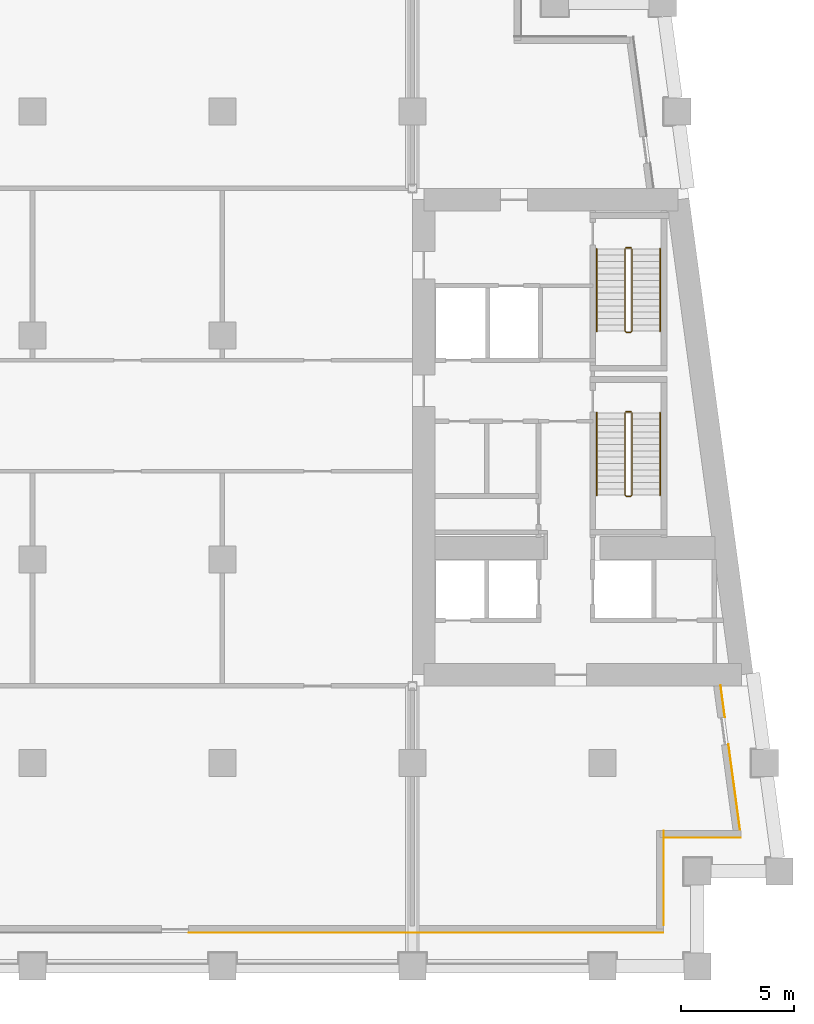
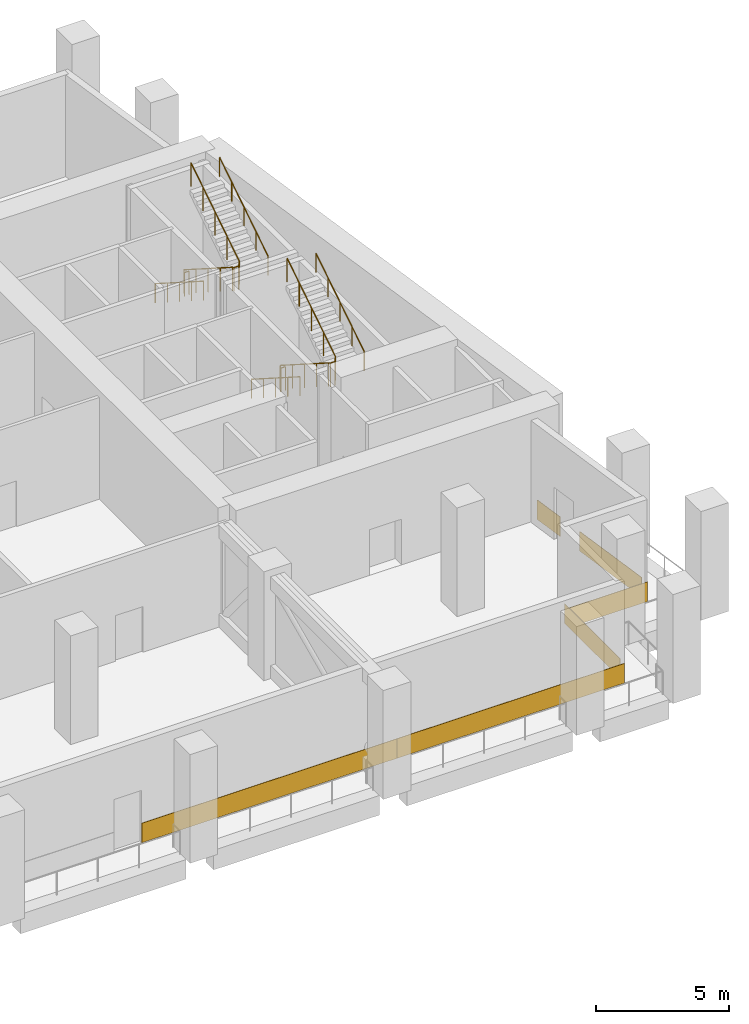
# One storey, part 10 of 11: 8 railings, 6 coverings.
"""IFC4 building model written with IfcOpenShell, lengths in metres."""

import ifcopenshell
import ifcopenshell.guid

model = None  # the IFC model being written
_history = None  # IfcOwnerHistory: only IFC2X3 demands one
_inside = {}  # id of a spatial element -> (the spatial element, [elements in it])
_under = {}  # id of a project, library or spatial element -> (it, [spatial elements below it])
_declared = {}  # id of a project -> (the project, [libraries it declares])
_typed = {}  # id of a type object -> (the type object, [elements of that type])
_made_of = {}  # id of a material, layer set ... -> (it, [elements and type objects made of it])


def new_model(schema):
    """Start an empty IFC model of exactly this schema.

    Asked for "IFC4X3", IfcOpenShell would pick the latest addendum, in which some entities
    have other attributes; the version numbers below select the first issue.
    IFC2X3 requires an IfcOwnerHistory on every rooted entity: one is made here for all.
    """
    global model, _history
    if schema == "IFC4X3":
        model = ifcopenshell.file(schema_version=(4, 3, 0, 0))
    else:
        model = ifcopenshell.file(schema=schema)
    _inside.clear()
    _under.clear()
    _declared.clear()
    _typed.clear()
    _made_of.clear()
    _history = None
    if model.schema == "IFC2X3":
        org = make("IfcOrganization", Name="unknown")
        user = make(
            "IfcPersonAndOrganization",
            ThePerson=make("IfcPerson", FamilyName="unknown"),
            TheOrganization=org,
        )
        app = make(
            "IfcApplication",
            ApplicationDeveloper=org,
            Version="unknown",
            ApplicationFullName="unknown",
            ApplicationIdentifier="unknown",
        )
        _history = make(
            "IfcOwnerHistory",
            OwningUser=user,
            OwningApplication=app,
            ChangeAction="ADDED",
            CreationDate=0,
        )
    return model


def make(cls, **values):
    """One entity of the class cls with the attributes given. An attribute that is None is left unset."""
    return model.create_entity(
        cls, **{name: value for name, value in values.items() if value is not None}
    )


def rooted(cls, **values):
    """An entity with a GlobalId (a new one), such as an element, a storey or a relation."""
    return make(cls, GlobalId=ifcopenshell.guid.new(), OwnerHistory=_history, **values)


def si_unit(unit_type, name, prefix=None):
    """IfcSIUnit, for example si_unit("LENGTHUNIT", "METRE", prefix="MILLI")."""
    return make("IfcSIUnit", UnitType=unit_type, Prefix=prefix, Name=name)


def assignment(units):
    """IfcUnitAssignment: the units of a project."""
    return None if units is None else make("IfcUnitAssignment", Units=units)


def point(xyz):
    """IfcCartesianPoint."""
    return None if xyz is None else make("IfcCartesianPoint", Coordinates=xyz)


def direction(xyz):
    """IfcDirection."""
    return None if xyz is None else make("IfcDirection", DirectionRatios=xyz)


def frame(location, z_axis=None, x_axis=None):
    """IfcAxis2Placement3D, a coordinate frame: its origin and axes. An axis left out is left unset."""
    return make(
        "IfcAxis2Placement3D",
        Location=point(location),
        Axis=direction(z_axis),
        RefDirection=direction(x_axis),
    )


def frame_2d(location, x_axis=None):
    """IfcAxis2Placement2D, a coordinate frame in the plane: its origin and x axis."""
    return make(
        "IfcAxis2Placement2D", Location=point(location), RefDirection=direction(x_axis)
    )


def origin():
    """The frame at (0, 0, 0) with its axes left unset."""
    return frame((0.0, 0.0, 0.0))


def origin_2d():
    """The frame at (0, 0) in the plane with its x axis left unset."""
    return frame_2d((0.0, 0.0))


def place(relative_to, where):
    """IfcLocalPlacement: puts the frame where relative to a parent placement (None: the world)."""
    return make(
        "IfcLocalPlacement", PlacementRelTo=relative_to, RelativePlacement=where
    )


def context(
    kind, dimensions, precision=None, world=None, true_north=None, identifier=None
):
    """IfcGeometricRepresentationContext, for example the 3D "Model" context."""
    return make(
        "IfcGeometricRepresentationContext",
        ContextIdentifier=identifier,
        ContextType=kind,
        CoordinateSpaceDimension=dimensions,
        Precision=precision,
        WorldCoordinateSystem=world,
        TrueNorth=true_north,
    )


def subcontext(parent, identifier, kind, view, scale=None):
    """IfcGeometricRepresentationSubContext, for example "Body" below "Model"."""
    return make(
        "IfcGeometricRepresentationSubContext",
        ContextIdentifier=identifier,
        ContextType=kind,
        ParentContext=parent,
        TargetScale=scale,
        TargetView=view,
    )


def project(units=None, contexts=None):
    """IfcProject with its units and contexts."""
    return rooted(
        "IfcProject",
        Name="project",
        RepresentationContexts=contexts,
        UnitsInContext=assignment(units),
    )


def spatial(cls, under=None, at=None, **own):
    """A site, building, storey or space (cls), placed at a placement, below another one or the project."""
    s = rooted(cls, ObjectPlacement=at, **own)
    if under is not None:
        _under.setdefault(under.id(), (under, []))[1].append(s)
    return s


def profile(cls, at=None, kind="AREA", **sizes):
    """A parametric profile (cls). Its sizes go by their IFC names, for example OverallWidth=200.0."""
    return make(cls, ProfileType=kind, Position=at, **sizes)


def rectangle(**sizes):
    """IfcRectangleProfileDef."""
    return profile("IfcRectangleProfileDef", **sizes)


def circle(**sizes):
    """IfcCircleProfileDef."""
    return profile("IfcCircleProfileDef", **sizes)


def extrude(swept, where, along, depth):
    """IfcExtrudedAreaSolid: the profile swept, set in the frame where, extruded along a direction by depth."""
    return make(
        "IfcExtrudedAreaSolid",
        SweptArea=swept,
        Position=where,
        ExtrudedDirection=direction(along),
        Depth=depth,
    )


def shape(context_of_items, identifier, shape_type, items):
    """IfcShapeRepresentation: the items that make up one representation, for example the "Body"."""
    return make(
        "IfcShapeRepresentation",
        ContextOfItems=context_of_items,
        RepresentationIdentifier=identifier,
        RepresentationType=shape_type,
        Items=items,
    )


def material(Name=None, Category=None):
    """IfcMaterial."""
    return make("IfcMaterial", Name=Name, Category=Category)


def layer(
    of_material, thickness, ventilated=None, Name=None, Category=None, Priority=None
):
    """IfcMaterialLayer: one layer of a wall or slab, of a material (None: an air gap)."""
    return make(
        "IfcMaterialLayer",
        Material=of_material,
        LayerThickness=thickness,
        IsVentilated=ventilated,
        Name=Name,
        Category=Category,
        Priority=Priority,
    )


def layer_set(layers, Name=None):
    """IfcMaterialLayerSet."""
    return make("IfcMaterialLayerSet", MaterialLayers=layers, LayerSetName=Name)


def made_of(thing, what):
    """Note that an element or type object is made of a material, layer set ...; save() writes the relation."""
    if what is not None:
        _made_of.setdefault(what.id(), (what, []))[1].append(thing)
    return thing


def type_object(cls, material=None, **own):
    """A type object (cls), such as IfcWallType, which elements share."""
    return made_of(rooted(cls, **own), material)


def element(
    cls,
    number,
    at=None,
    inside=None,
    cuts=None,
    type_object=None,
    material=None,
    context=None,
    identifier="Body",
    shape_type=None,
    held_by="IfcProductDefinitionShape",
    body=None,
    shapes=None,
    **own,
):
    """One element of the class cls, such as IfcWall. Its Tag is "e" and its number.

    at: its placement. inside: the storey or other place that contains it. cuts: it is an
    opening in that element (IfcRelVoidsElement). A single representation is given by context,
    identifier, shape_type and body (its items); several are given by shapes. held_by: the class
    of the entity that holds the representations. save() writes the other relations.
    """
    e = rooted(cls, Tag="e%d" % number, ObjectPlacement=at, **own)
    if body is not None:
        shapes = [shape(context, identifier, shape_type, body)]
    if shapes is not None:
        e.Representation = make(held_by, Representations=shapes)
    if inside is not None:
        _inside.setdefault(inside.id(), (inside, []))[1].append(e)
    if cuts is not None:
        rooted(
            "IfcRelVoidsElement", RelatingBuildingElement=cuts, RelatedOpeningElement=e
        )
    if type_object is not None:
        _typed.setdefault(type_object.id(), (type_object, []))[1].append(e)
    return made_of(e, material)


def aggregate(whole, parts):
    """IfcRelAggregates: a whole, such as a stair, and the parts it consists of."""
    return rooted("IfcRelAggregates", RelatingObject=whole, RelatedObjects=parts)


def save(model, path):
    """Write the relations noted so far, then the file.

    IfcRelAggregates (storeys below a building ...), IfcRelContainedInSpatialStructure (elements
    in a storey), IfcRelDefinesByType, IfcRelAssociatesMaterial and IfcRelDeclares: one each for
    every whole, place, type object, material and project.
    """
    for whole, parts in _under.values():
        aggregate(whole, parts)
    for where, things in _inside.values():
        rooted(
            "IfcRelContainedInSpatialStructure",
            RelatedElements=things,
            RelatingStructure=where,
        )
    for kind, things in _typed.values():
        rooted("IfcRelDefinesByType", RelatedObjects=things, RelatingType=kind)
    for what, things in _made_of.values():
        rooted("IfcRelAssociatesMaterial", RelatedObjects=things, RelatingMaterial=what)
    for by, libraries in _declared.values():
        rooted("IfcRelDeclares", RelatingContext=by, RelatedDefinitions=libraries)
    model.write(path)


model = new_model("IFC4")

# Units and contexts
model_context = context("Model", 3, precision=1e-05, world=origin(), true_north=direction((0.0, 1.0)))
body_context = subcontext(model_context, "Body", "Model", "MODEL_VIEW")
ifc_project = project(units=[si_unit("LENGTHUNIT", "METRE"), si_unit("AREAUNIT", "SQUARE_METRE"), si_unit("VOLUMEUNIT", "CUBIC_METRE"), si_unit("PLANEANGLEUNIT", "RADIAN"), si_unit("MASSUNIT", "GRAM", prefix="KILO")], contexts=[model_context])

# Site, building, storey
site_placement = place(None, origin())
site = spatial("IfcSite", under=ifc_project, at=site_placement, CompositionType="ELEMENT")
building_placement = place(site_placement, origin())
building = spatial("IfcBuilding", under=site, at=building_placement, Name="Candeia Pilgrim Tower and Theatre", CompositionType="ELEMENT")
storey_placement = place(building_placement, frame((0.0, 0.0, 142.800048828125)))
storey = spatial("IfcBuildingStorey", under=building, at=storey_placement, Name="L33", CompositionType="ELEMENT", Elevation=142.800048828125)

# Coverings
ifc_material_1 = material(Name="Glazed ceramic tile red")
ifc_layer_1 = layer(ifc_material_1, 0.02001953125)
ifc_layer_set_1 = layer_set([ifc_layer_1], Name="Glazed ceramic tile red")
covering_type_1 = type_object("IfcCoveringType", Name="Glazed ceramic tile red", PredefinedType="CLADDING", material=ifc_layer_set_1)
covering_1_placement = place(storey_placement, frame((121.64990234375, 99.489990234375, 0.0), z_axis=(0.0, 0.0, 1.0), x_axis=(1.0, 0.0, 0.0)))
element("IfcCovering", 1, at=covering_1_placement, inside=storey, type_object=covering_type_1, Name="Tile cladding red L33", PredefinedType="CLADDING", context=body_context, shape_type="SweptSolid", body=[
    extrude(rectangle(XDim=11.10009765625, YDim=0.02001953125, at=origin_2d()), origin(), (0.0, 0.0, 1.0), 0.89990234375),
])
ifc_material_2 = material(Name="Glazed ceramic tile rust")
ifc_layer_2 = layer(ifc_material_2, 0.02001953125)
ifc_layer_set_2 = layer_set([ifc_layer_2], Name="Glazed ceramic tile rust")
covering_type_2 = type_object("IfcCoveringType", Name="Glazed ceramic tile rust", PredefinedType="CLADDING", material=ifc_layer_set_2)
covering_2_placement = place(storey_placement, frame((132.14990234375, 99.489990234375, 0.0), z_axis=(0.0, 0.0, 1.0), x_axis=(1.0, 0.0, 0.0)))
element("IfcCovering", 2, at=covering_2_placement, inside=storey, type_object=covering_type_2, Name="Tile cladding rust L33", PredefinedType="CLADDING", context=body_context, shape_type="SweptSolid", body=[
    extrude(rectangle(XDim=9.89990234375, YDim=0.02001953125, at=origin_2d()), origin(), (0.0, 0.0, 1.0), 0.89990234375),
])
covering_3_placement = place(storey_placement, frame((137.110107421875, 101.909912109375, 0.0), z_axis=(0.0, 0.0, 1.0), x_axis=(0.0, 1.0, 0.0)))
element("IfcCovering", 3, at=covering_3_placement, inside=storey, type_object=covering_type_2, Name="Tile cladding rust L33", PredefinedType="CLADDING", context=body_context, shape_type="SweptSolid", body=[
    extrude(rectangle(XDim=4.179931640625, YDim=0.02001953125, at=origin_2d()), origin(), (0.0, 0.0, 1.0), 0.89990234375),
])
covering_4_placement = place(storey_placement, frame((138.819580078125, 103.68994140625, 0.0), z_axis=(0.0, 0.0, 1.0), x_axis=(1.0, 0.0, 0.0)))
element("IfcCovering", 4, at=covering_4_placement, inside=storey, type_object=covering_type_2, Name="Tile cladding rust L33", PredefinedType="CLADDING", context=body_context, shape_type="SweptSolid", body=[
    extrude(rectangle(XDim=3.399169921875, YDim=0.02001953125, at=origin_2d()), origin(), (0.0, 0.0, 1.0), 0.89990234375),
])
covering_5_placement = place(storey_placement, frame((140.228515625, 105.933349609375, 0.0), z_axis=(0.0, 0.0, 1.0), x_axis=(-0.133412012145, 0.991060661622, 0.0)))
element("IfcCovering", 5, at=covering_5_placement, inside=storey, type_object=covering_type_2, Name="Tile cladding rust L33", PredefinedType="CLADDING", context=body_context, shape_type="SweptSolid", body=[
    extrude(rectangle(XDim=3.821044921875, YDim=0.02001953125, at=origin_2d()), origin(), (0.0, 0.0, 1.0), 0.89990234375),
])
covering_6_placement = place(storey_placement, frame((139.718994140625, 109.71875, 0.0), z_axis=(0.0, 0.0, 1.0), x_axis=(-0.133412012145, 0.991060661622, 0.0)))
element("IfcCovering", 6, at=covering_6_placement, inside=storey, type_object=covering_type_2, Name="Tile cladding rust L33", PredefinedType="CLADDING", context=body_context, shape_type="SweptSolid", body=[
    extrude(rectangle(XDim=1.41796875, YDim=0.02001953125, at=origin_2d()), origin(), (0.0, 0.0, 1.0), 0.89990234375),
])

# Railings
ifc_material_3 = material(Name="Stainless steel balustrade", Category="steel")
railing_type_1 = type_object("IfcRailingType", Name="RL-GUARD-1100", PredefinedType="GUARDRAIL", material=ifc_material_3)
railing_1_placement = place(storey_placement, frame((135.39794921875, 122.47509765625, 0.178466796875)))
element("IfcRailing", 7, at=railing_1_placement, inside=storey, type_object=railing_type_1, Name="L33 ST3 stair guard 1", PredefinedType="GUARDRAIL", context=body_context, shape_type="SweptSolid", body=[
    extrude(circle(Radius=0.02392578125, at=origin_2d()), frame((0.0, 0.0, 1.076171875), z_axis=(0.0, -0.843127859045, 0.537713132908), x_axis=(1.0, 0.0, 0.0)), (0.0, 0.0, 1.0), 4.3173828125),
    extrude(circle(Radius=0.02392578125, at=origin_2d()), frame((0.0, -3.64013671875, 3.3974609375), z_axis=(0.707106781187, -0.707106781187, 0.0), x_axis=(0.707106781187, 0.707106781187, 0.0)), (0.0, 0.0, 1.0), 0.07080078125),
    extrude(circle(Radius=0.02392578125, at=origin_2d()), frame((0.050048828125, -3.690185546875, 3.3974609375), z_axis=(1.0, 0.0, 0.0), x_axis=(0.0, 1.0, 0.0)), (0.0, 0.0, 1.0), 0.199951171875),
    extrude(circle(Radius=0.02392578125, at=origin_2d()), frame((0.25, -3.690185546875, 3.3974609375), z_axis=(0.260684529273, 0.260684529273, 0.929562882432), x_axis=(-0.707106781187, 0.707106781187, 0.0)), (0.0, 0.0, 1.0), 0.19189453125),
    extrude(circle(Radius=0.02392578125, at=origin_2d()), frame((0.300048828125, -3.64013671875, 3.576171875), z_axis=(0.0, 0.843127859045, 0.537713132908), x_axis=(-1.0, 0.0, 0.0)), (0.0, 0.0, 1.0), 4.3173828125),
    extrude(circle(Radius=0.02099609375, at=origin_2d()), origin(), (0.0, 0.0, 1.0), 1.052001953125),
    extrude(circle(Radius=0.02099609375, at=origin_2d()), frame((0.0, -0.91015625, 0.580322265625)), (0.0, 0.0, 1.0), 1.052001953125),
    extrude(circle(Radius=0.02099609375, at=origin_2d()), frame((0.0, -1.820068359375, 1.16064453125)), (0.0, 0.0, 1.0), 1.052001953125),
    extrude(circle(Radius=0.02099609375, at=origin_2d()), frame((0.0, -2.72998046875, 1.7412109375)), (0.0, 0.0, 1.0), 1.052001953125),
    extrude(circle(Radius=0.02099609375, at=origin_2d()), frame((0.0, -3.64013671875, 2.321533203125)), (0.0, 0.0, 1.0), 1.052001953125),
    extrude(circle(Radius=0.02099609375, at=origin_2d()), frame((0.050048828125, -3.690185546875, 2.321533203125)), (0.0, 0.0, 1.0), 1.052001953125),
    extrude(circle(Radius=0.02099609375, at=origin_2d()), frame((0.25, -3.690185546875, 2.321533203125)), (0.0, 0.0, 1.0), 1.052001953125),
    extrude(circle(Radius=0.02099609375, at=origin_2d()), frame((0.300048828125, -3.64013671875, 2.5)), (0.0, 0.0, 1.0), 1.052001953125),
    extrude(circle(Radius=0.02099609375, at=origin_2d()), frame((0.300048828125, -2.72998046875, 3.080322265625)), (0.0, 0.0, 1.0), 1.052001953125),
    extrude(circle(Radius=0.02099609375, at=origin_2d()), frame((0.300048828125, -1.820068359375, 3.66064453125)), (0.0, 0.0, 1.0), 1.052001953125),
    extrude(circle(Radius=0.02099609375, at=origin_2d()), frame((0.300048828125, -0.91015625, 4.2412109375)), (0.0, 0.0, 1.0), 1.052001953125),
    extrude(circle(Radius=0.02099609375, at=origin_2d()), frame((0.300048828125, 0.0, 4.821533203125)), (0.0, 0.0, 1.0), 1.052001953125),
])
railing_2_placement = place(storey_placement, frame((135.447998046875, 122.52490234375, 0.0)))
element("IfcRailing", 8, at=railing_2_placement, inside=storey, type_object=railing_type_1, Name="L33 ST3 stair guard 2", PredefinedType="GUARDRAIL", context=body_context, shape_type="SweptSolid", body=[
    extrude(circle(Radius=0.02392578125, at=origin_2d()), frame((0.0, 0.0, 1.076171875), z_axis=(1.0, 0.0, 0.0), x_axis=(0.0, 1.0, 0.0)), (0.0, 0.0, 1.0), 0.199951171875),
    extrude(circle(Radius=0.02099609375, at=origin_2d()), origin(), (0.0, 0.0, 1.0), 1.052001953125),
    extrude(circle(Radius=0.02099609375, at=origin_2d()), frame((0.199951171875, 0.0, 0.0)), (0.0, 0.0, 1.0), 1.052001953125),
])
railing_3_placement = place(storey_placement, frame((135.39794921875, 129.72509765625, 0.178466796875)))
element("IfcRailing", 9, at=railing_3_placement, inside=storey, type_object=railing_type_1, Name="L33 ST4 stair guard 1", PredefinedType="GUARDRAIL", context=body_context, shape_type="SweptSolid", body=[
    extrude(circle(Radius=0.02392578125, at=origin_2d()), frame((0.0, 0.0, 1.076171875), z_axis=(0.0, -0.843127859045, 0.537713132908), x_axis=(1.0, 0.0, 0.0)), (0.0, 0.0, 1.0), 4.3173828125),
    extrude(circle(Radius=0.02392578125, at=origin_2d()), frame((0.0, -3.64013671875, 3.3974609375), z_axis=(0.707106781187, -0.707106781187, 0.0), x_axis=(0.707106781187, 0.707106781187, 0.0)), (0.0, 0.0, 1.0), 0.07080078125),
    extrude(circle(Radius=0.02392578125, at=origin_2d()), frame((0.050048828125, -3.690185546875, 3.3974609375), z_axis=(1.0, 0.0, 0.0), x_axis=(0.0, 1.0, 0.0)), (0.0, 0.0, 1.0), 0.199951171875),
    extrude(circle(Radius=0.02392578125, at=origin_2d()), frame((0.25, -3.690185546875, 3.3974609375), z_axis=(0.260684529273, 0.260684529273, 0.929562882432), x_axis=(-0.707106781187, 0.707106781187, 0.0)), (0.0, 0.0, 1.0), 0.19189453125),
    extrude(circle(Radius=0.02392578125, at=origin_2d()), frame((0.300048828125, -3.64013671875, 3.576171875), z_axis=(0.0, 0.843127859045, 0.537713132908), x_axis=(-1.0, 0.0, 0.0)), (0.0, 0.0, 1.0), 4.3173828125),
    extrude(circle(Radius=0.02099609375, at=origin_2d()), origin(), (0.0, 0.0, 1.0), 1.052001953125),
    extrude(circle(Radius=0.02099609375, at=origin_2d()), frame((0.0, -0.91015625, 0.580322265625)), (0.0, 0.0, 1.0), 1.052001953125),
    extrude(circle(Radius=0.02099609375, at=origin_2d()), frame((0.0, -1.820068359375, 1.16064453125)), (0.0, 0.0, 1.0), 1.052001953125),
    extrude(circle(Radius=0.02099609375, at=origin_2d()), frame((0.0, -2.72998046875, 1.7412109375)), (0.0, 0.0, 1.0), 1.052001953125),
    extrude(circle(Radius=0.02099609375, at=origin_2d()), frame((0.0, -3.64013671875, 2.321533203125)), (0.0, 0.0, 1.0), 1.052001953125),
    extrude(circle(Radius=0.02099609375, at=origin_2d()), frame((0.050048828125, -3.690185546875, 2.321533203125)), (0.0, 0.0, 1.0), 1.052001953125),
    extrude(circle(Radius=0.02099609375, at=origin_2d()), frame((0.25, -3.690185546875, 2.321533203125)), (0.0, 0.0, 1.0), 1.052001953125),
    extrude(circle(Radius=0.02099609375, at=origin_2d()), frame((0.300048828125, -3.64013671875, 2.5)), (0.0, 0.0, 1.0), 1.052001953125),
    extrude(circle(Radius=0.02099609375, at=origin_2d()), frame((0.300048828125, -2.72998046875, 3.080322265625)), (0.0, 0.0, 1.0), 1.052001953125),
    extrude(circle(Radius=0.02099609375, at=origin_2d()), frame((0.300048828125, -1.820068359375, 3.66064453125)), (0.0, 0.0, 1.0), 1.052001953125),
    extrude(circle(Radius=0.02099609375, at=origin_2d()), frame((0.300048828125, -0.91015625, 4.2412109375)), (0.0, 0.0, 1.0), 1.052001953125),
    extrude(circle(Radius=0.02099609375, at=origin_2d()), frame((0.300048828125, 0.0, 4.821533203125)), (0.0, 0.0, 1.0), 1.052001953125),
])
railing_4_placement = place(storey_placement, frame((135.447998046875, 129.77490234375, 0.0)))
element("IfcRailing", 10, at=railing_4_placement, inside=storey, type_object=railing_type_1, Name="L33 ST4 stair guard 2", PredefinedType="GUARDRAIL", context=body_context, shape_type="SweptSolid", body=[
    extrude(circle(Radius=0.02392578125, at=origin_2d()), frame((0.0, 0.0, 1.076171875), z_axis=(1.0, 0.0, 0.0), x_axis=(0.0, 1.0, 0.0)), (0.0, 0.0, 1.0), 0.199951171875),
    extrude(circle(Radius=0.02099609375, at=origin_2d()), origin(), (0.0, 0.0, 1.0), 1.052001953125),
    extrude(circle(Radius=0.02099609375, at=origin_2d()), frame((0.199951171875, 0.0, 0.0)), (0.0, 0.0, 1.0), 1.052001953125),
])
ifc_material_4 = material(Name="Stainless steel handrail", Category="steel")
railing_type_2 = type_object("IfcRailingType", Name="RL-HANDRAIL-900", PredefinedType="HANDRAIL", material=ifc_material_4)
railing_5_placement = place(storey_placement, frame((134.14794921875, 122.47509765625, 0.178466796875)))
element("IfcRailing", 11, at=railing_5_placement, inside=storey, type_object=railing_type_2, Name="L33 ST3 stair handrail 1", PredefinedType="HANDRAIL", context=body_context, shape_type="SweptSolid", body=[
    extrude(circle(Radius=0.02392578125, at=origin_2d()), frame((0.0, 0.0, 0.8759765625), z_axis=(0.0, -0.843127859045, 0.537713132908), x_axis=(1.0, 0.0, 0.0)), (0.0, 0.0, 1.0), 4.3173828125),
    extrude(circle(Radius=0.02099609375, at=origin_2d()), origin(), (0.0, 0.0, 1.0), 0.851806640625),
    extrude(circle(Radius=0.02099609375, at=origin_2d()), frame((0.0, -0.91015625, 0.580322265625)), (0.0, 0.0, 1.0), 0.851806640625),
    extrude(circle(Radius=0.02099609375, at=origin_2d()), frame((0.0, -1.820068359375, 1.16064453125)), (0.0, 0.0, 1.0), 0.851806640625),
    extrude(circle(Radius=0.02099609375, at=origin_2d()), frame((0.0, -2.72998046875, 1.7412109375)), (0.0, 0.0, 1.0), 0.851806640625),
    extrude(circle(Radius=0.02099609375, at=origin_2d()), frame((0.0, -3.64013671875, 2.321533203125)), (0.0, 0.0, 1.0), 0.851806640625),
])
railing_6_placement = place(storey_placement, frame((136.947998046875, 118.8349609375, 2.678466796875)))
element("IfcRailing", 12, at=railing_6_placement, inside=storey, type_object=railing_type_2, Name="L33 ST3 stair handrail 2", PredefinedType="HANDRAIL", context=body_context, shape_type="SweptSolid", body=[
    extrude(circle(Radius=0.02392578125, at=origin_2d()), frame((0.0, 0.0, 0.8759765625), z_axis=(0.0, 0.843127859045, 0.537713132908), x_axis=(-1.0, 0.0, 0.0)), (0.0, 0.0, 1.0), 4.3173828125),
    extrude(circle(Radius=0.02099609375, at=origin_2d()), origin(), (0.0, 0.0, 1.0), 0.851806640625),
    extrude(circle(Radius=0.02099609375, at=origin_2d()), frame((0.0, 0.91015625, 0.580322265625)), (0.0, 0.0, 1.0), 0.851806640625),
    extrude(circle(Radius=0.02099609375, at=origin_2d()), frame((0.0, 1.820068359375, 1.16064453125)), (0.0, 0.0, 1.0), 0.851806640625),
    extrude(circle(Radius=0.02099609375, at=origin_2d()), frame((0.0, 2.72998046875, 1.7412109375)), (0.0, 0.0, 1.0), 0.851806640625),
    extrude(circle(Radius=0.02099609375, at=origin_2d()), frame((0.0, 3.64013671875, 2.321533203125)), (0.0, 0.0, 1.0), 0.851806640625),
])
railing_7_placement = place(storey_placement, frame((134.14794921875, 129.72509765625, 0.178466796875)))
element("IfcRailing", 13, at=railing_7_placement, inside=storey, type_object=railing_type_2, Name="L33 ST4 stair handrail 1", PredefinedType="HANDRAIL", context=body_context, shape_type="SweptSolid", body=[
    extrude(circle(Radius=0.02392578125, at=origin_2d()), frame((0.0, 0.0, 0.8759765625), z_axis=(0.0, -0.843127859045, 0.537713132908), x_axis=(1.0, 0.0, 0.0)), (0.0, 0.0, 1.0), 4.3173828125),
    extrude(circle(Radius=0.02099609375, at=origin_2d()), origin(), (0.0, 0.0, 1.0), 0.851806640625),
    extrude(circle(Radius=0.02099609375, at=origin_2d()), frame((0.0, -0.91015625, 0.580322265625)), (0.0, 0.0, 1.0), 0.851806640625),
    extrude(circle(Radius=0.02099609375, at=origin_2d()), frame((0.0, -1.820068359375, 1.16064453125)), (0.0, 0.0, 1.0), 0.851806640625),
    extrude(circle(Radius=0.02099609375, at=origin_2d()), frame((0.0, -2.72998046875, 1.7412109375)), (0.0, 0.0, 1.0), 0.851806640625),
    extrude(circle(Radius=0.02099609375, at=origin_2d()), frame((0.0, -3.64013671875, 2.321533203125)), (0.0, 0.0, 1.0), 0.851806640625),
])
railing_8_placement = place(storey_placement, frame((136.947998046875, 126.0849609375, 2.678466796875)))
element("IfcRailing", 14, at=railing_8_placement, inside=storey, type_object=railing_type_2, Name="L33 ST4 stair handrail 2", PredefinedType="HANDRAIL", context=body_context, shape_type="SweptSolid", body=[
    extrude(circle(Radius=0.02392578125, at=origin_2d()), frame((0.0, 0.0, 0.8759765625), z_axis=(0.0, 0.843127859045, 0.537713132908), x_axis=(-1.0, 0.0, 0.0)), (0.0, 0.0, 1.0), 4.3173828125),
    extrude(circle(Radius=0.02099609375, at=origin_2d()), origin(), (0.0, 0.0, 1.0), 0.851806640625),
    extrude(circle(Radius=0.02099609375, at=origin_2d()), frame((0.0, 0.91015625, 0.580322265625)), (0.0, 0.0, 1.0), 0.851806640625),
    extrude(circle(Radius=0.02099609375, at=origin_2d()), frame((0.0, 1.820068359375, 1.16064453125)), (0.0, 0.0, 1.0), 0.851806640625),
    extrude(circle(Radius=0.02099609375, at=origin_2d()), frame((0.0, 2.72998046875, 1.7412109375)), (0.0, 0.0, 1.0), 0.851806640625),
    extrude(circle(Radius=0.02099609375, at=origin_2d()), frame((0.0, 3.64013671875, 2.321533203125)), (0.0, 0.0, 1.0), 0.851806640625),
])

save(model, "model.ifc")
